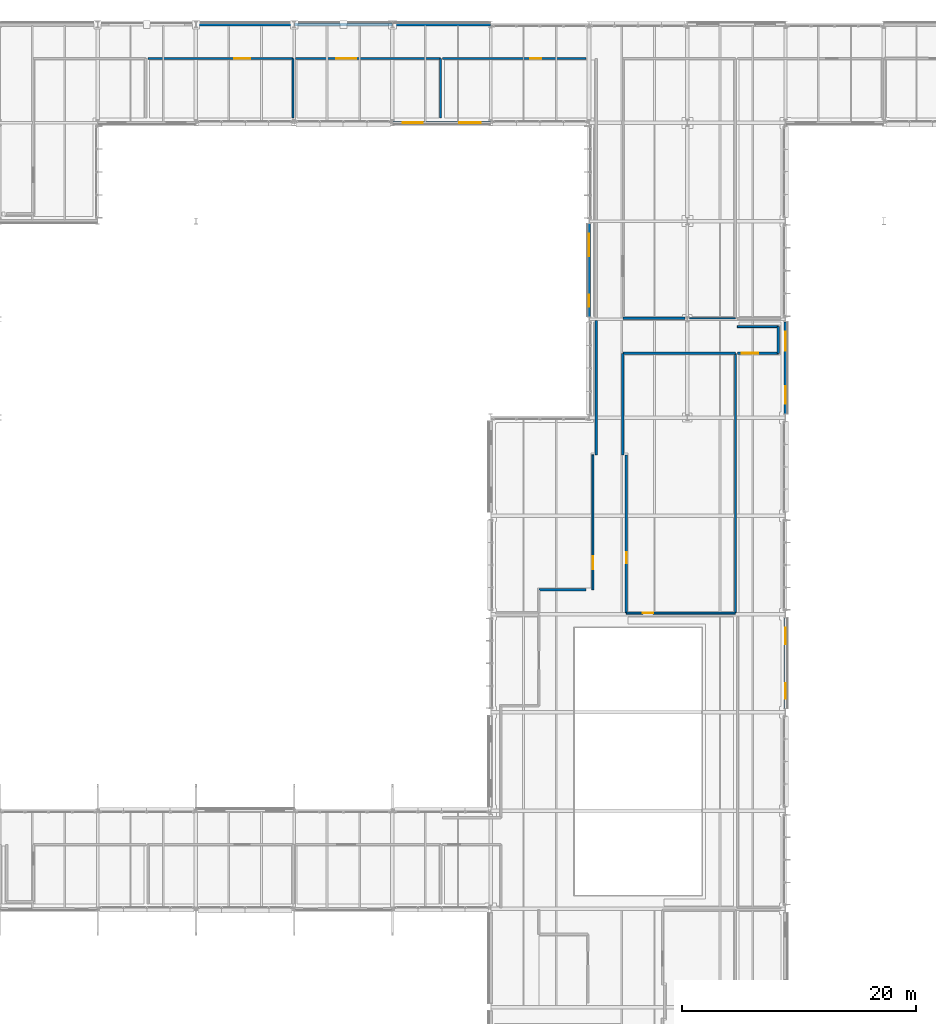
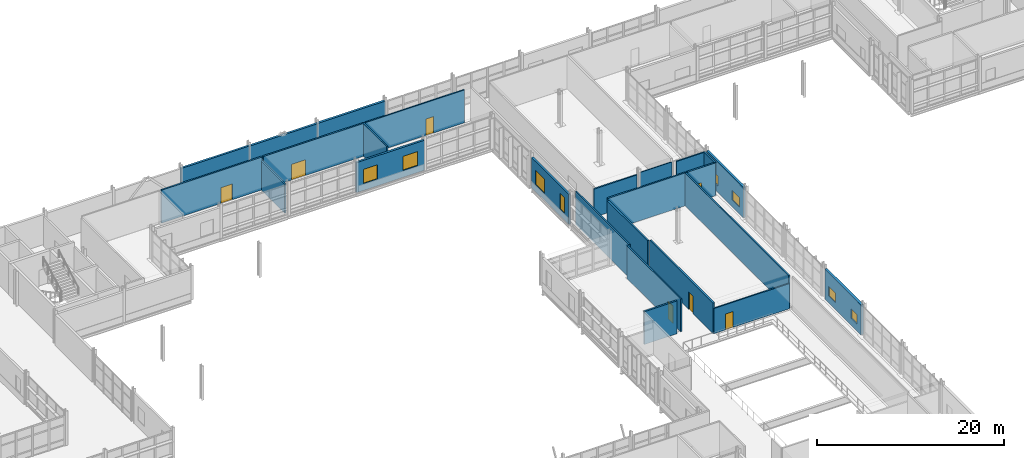
# One storey, part 99 of 129: 25 walls, 8 windows, 7 doors, 15 openings.
"""IFC4 building model written with IfcOpenShell, lengths in metres."""

from ifc_helpers import new_model, si_unit, direction, frame, frame_2d, origin, place, context, subcontext, project, spatial, rectangle, extrude, material, layer, layer_set, type_object, element, fill, save


model = new_model("IFC4")

# Units and contexts
model_context = context("Model", 3, precision=1e-05, world=origin(), true_north=direction((0.0, 1.0)))
body_context = subcontext(model_context, "Body", "Model", "MODEL_VIEW")
ifc_project = project(units=[si_unit("LENGTHUNIT", "METRE"), si_unit("AREAUNIT", "SQUARE_METRE"), si_unit("VOLUMEUNIT", "CUBIC_METRE"), si_unit("PLANEANGLEUNIT", "RADIAN"), si_unit("MASSUNIT", "GRAM", prefix="KILO")], contexts=[model_context])

# Site, building, storey
site_placement = place(None, origin())
site = spatial("IfcSite", under=ifc_project, at=site_placement, CompositionType="ELEMENT")
building_placement = place(site_placement, origin())
building = spatial("IfcBuilding", under=site, at=building_placement, Name="Mersafa Astral City Hall", CompositionType="ELEMENT")
storey_placement = place(building_placement, frame((0.0, 0.0, 5.39990234375)))
storey = spatial("IfcBuildingStorey", under=building, at=storey_placement, Name="L01", CompositionType="ELEMENT", Elevation=5.39990234375)

# Wall, openings, windows
ifc_material_1 = material(Name="Precast concrete C40/50 insulated terracotta spandrel", Category="masonry")
ifc_layer_1 = layer(ifc_material_1, 0.235107421875, Name="Precast concrete C40/50 insulated terracotta spandrel")
ifc_layer_set_1 = layer_set([ifc_layer_1], Name="Precast concrete C40/50 insulated terracotta spandrel — ENV-WAL-EXT-235")
wall_type_1 = type_object("IfcWallType", Name="ENV-WAL-EXT-235", PredefinedType="STANDARD", material=ifc_layer_set_1)
wall_1_placement = place(storey_placement, frame((100.800048828125, 108.97900390625, 0.0), z_axis=(0.0, 0.0, 1.0), x_axis=(0.0, -1.0, 0.0)))
wall_1 = element("IfcWall", 1, at=wall_1_placement, inside=storey, type_object=wall_type_1, Name="L01 Limestone-clad exterior wall 137", PredefinedType="STANDARD", context=body_context, shape_type="SweptSolid", body=[
    extrude(rectangle(XDim=7.9580078125, YDim=0.235107421875, at=frame_2d((3.97900390625, 0.0))), origin(), (0.0, 0.0, 1.0), 3.922119140625),
])
opening_1_placement = place(wall_1_placement, frame((0.85009765625, 0.0, 0.89990234375)))
opening_1 = element("IfcOpeningElement", 2, at=opening_1_placement, cuts=wall_1, Name="Opening W-50", PredefinedType="OPENING", context=body_context, shape_type="SweptSolid", body=[
    extrude(rectangle(XDim=1.919921875, YDim=1.85009765625, at=frame_2d((0.9599609375, 0.925048828125))), frame((0.0, 0.12744140625, 0.0), z_axis=(0.0, -1.0, 0.0), x_axis=(1.0, 0.0, 0.0)), (0.0, 0.0, 1.0), 0.255126953125),
])
opening_2_placement = place(wall_1_placement, frame((6.087890625, 0.0, 0.89990234375)))
opening_2 = element("IfcOpeningElement", 3, at=opening_2_placement, cuts=wall_1, Name="Opening W-51", PredefinedType="OPENING", context=body_context, shape_type="SweptSolid", body=[
    extrude(rectangle(XDim=1.02001953125, YDim=2.050048828125, at=frame_2d((0.510009765625, 1.02490234375))), frame((0.0, 0.12744140625, 0.0), z_axis=(0.0, -1.0, 0.0), x_axis=(1.0, 0.0, 0.0)), (0.0, 0.0, 1.0), 0.255126953125),
])
ifc_material_2 = material(Name="Solar control low-e double glazing in bronze frame", Category="glass")
window_type_1 = type_object("IfcWindowType", Name="ENV-WIN-W-50", PartitioningType="SINGLE_PANEL", PredefinedType="WINDOW", material=ifc_material_2)
window_1_placement = place(opening_1_placement, origin())
window_1 = element("IfcWindow", 4, at=window_1_placement, inside=storey, type_object=window_type_1, Name="L01 Solar punched window 137-L", OverallHeight=1.85009765625, OverallWidth=1.919921875, PartitioningType="SINGLE_PANEL", PredefinedType="WINDOW", context=body_context, shape_type="SweptSolid", body=[
    extrude(rectangle(XDim=1.919921875, YDim=1.85009765625, at=frame_2d((0.9599609375, 0.925048828125))), frame((0.0, 0.030029296875, 0.0), z_axis=(0.0, -1.0, 0.0), x_axis=(1.0, 0.0, 0.0)), (0.0, 0.0, 1.0), 0.06005859375),
])
fill(opening_1, window_1)
window_type_2 = type_object("IfcWindowType", Name="ENV-WIN-W-51", PartitioningType="SINGLE_PANEL", PredefinedType="WINDOW", material=ifc_material_2)
window_2_placement = place(opening_2_placement, origin())
window_2 = element("IfcWindow", 5, at=window_2_placement, inside=storey, type_object=window_type_2, Name="L01 Solar punched window 137-R", OverallHeight=2.050048828125, OverallWidth=1.02001953125, PartitioningType="SINGLE_PANEL", PredefinedType="WINDOW", context=body_context, shape_type="SweptSolid", body=[
    extrude(rectangle(XDim=1.02001953125, YDim=2.050048828125, at=frame_2d((0.510009765625, 1.02490234375))), frame((0.0, 0.030029296875, 0.0), z_axis=(0.0, -1.0, 0.0), x_axis=(1.0, 0.0, 0.0)), (0.0, 0.0, 1.0), 0.06005859375),
])
fill(opening_2, window_2)

# Wall
ifc_layer_2 = layer(ifc_material_1, 0.25, Name="Precast concrete C40/50 insulated terracotta spandrel")
ifc_layer_set_2 = layer_set([ifc_layer_2], Name="Precast concrete C40/50 insulated terracotta spandrel — ENV-WAL-EXT-250")
wall_type_2 = type_object("IfcWallType", Name="ENV-WAL-EXT-250", PredefinedType="STANDARD", material=ifc_layer_set_2)
wall_2_placement = place(storey_placement, frame((75.592041015625, 126.0, 0.0), z_axis=(0.0, 0.0, 1.0), x_axis=(-1.0, 0.0, 0.0)))
element("IfcWall", 6, at=wall_2_placement, inside=storey, type_object=wall_type_2, Name="L01 Limestone-clad exterior wall 118", PredefinedType="STANDARD", context=body_context, shape_type="SweptSolid", body=[
    extrude(rectangle(XDim=8.384033203125, YDim=0.25, at=frame_2d((4.19189453125, 0.0))), origin(), (0.0, 0.0, 1.0), 3.9521484375),
])

# Wall, openings, windows
wall_3_placement = place(storey_placement, frame((84.008056640625, 117.60009765625, 0.0), z_axis=(0.0, 0.0, 1.0), x_axis=(1.0, 0.0, 0.0)))
wall_3 = element("IfcWall", 7, at=wall_3_placement, inside=storey, type_object=wall_type_2, Name="L01 Limestone-clad exterior wall 136", PredefinedType="STANDARD", context=body_context, shape_type="SweptSolid", body=[
    extrude(rectangle(XDim=8.384033203125, YDim=0.25, at=frame_2d((4.19189453125, 0.0))), origin(), (0.0, 0.0, 1.0), 3.922119140625),
])
opening_3_placement = place(wall_3_placement, frame((0.85009765625, 0.0, 0.89990234375)))
opening_3 = element("IfcOpeningElement", 8, at=opening_3_placement, cuts=wall_3, Name="Opening W-48", PredefinedType="OPENING", context=body_context, shape_type="SweptSolid", body=[
    extrude(rectangle(XDim=1.719970703125, YDim=1.85009765625, at=frame_2d((0.85986328125, 0.925048828125))), frame((0.0, 0.135009765625, 0.0), z_axis=(0.0, -1.0, 0.0), x_axis=(1.0, 0.0, 0.0)), (0.0, 0.0, 1.0), 0.27001953125),
])
opening_4_placement = place(wall_3_placement, frame((5.714111328125, 0.0, 0.89990234375)))
opening_4 = element("IfcOpeningElement", 9, at=opening_4_placement, cuts=wall_3, Name="Opening W-49", PredefinedType="OPENING", context=body_context, shape_type="SweptSolid", body=[
    extrude(rectangle(XDim=1.820068359375, YDim=1.85009765625, at=frame_2d((0.91015625, 0.925048828125))), frame((0.0, 0.135009765625, 0.0), z_axis=(0.0, -1.0, 0.0), x_axis=(1.0, 0.0, 0.0)), (0.0, 0.0, 1.0), 0.27001953125),
])
window_type_3 = type_object("IfcWindowType", Name="ENV-WIN-W-48", PartitioningType="SINGLE_PANEL", PredefinedType="WINDOW", material=ifc_material_2)
window_3_placement = place(opening_3_placement, origin())
window_3 = element("IfcWindow", 10, at=window_3_placement, inside=storey, type_object=window_type_3, Name="L01 Solar punched window 136-L", OverallHeight=1.85009765625, OverallWidth=1.719970703125, PartitioningType="SINGLE_PANEL", PredefinedType="WINDOW", context=body_context, shape_type="SweptSolid", body=[
    extrude(rectangle(XDim=1.719970703125, YDim=1.85009765625, at=frame_2d((0.85986328125, 0.925048828125))), frame((0.0, 0.030029296875, 0.0), z_axis=(0.0, -1.0, 0.0), x_axis=(1.0, 0.0, 0.0)), (0.0, 0.0, 1.0), 0.06005859375),
])
fill(opening_3, window_3)
window_type_4 = type_object("IfcWindowType", Name="ENV-WIN-W-49", PartitioningType="SINGLE_PANEL", PredefinedType="WINDOW", material=ifc_material_2)
window_4_placement = place(opening_4_placement, origin())
window_4 = element("IfcWindow", 11, at=window_4_placement, inside=storey, type_object=window_type_4, Name="L01 Solar punched window 136-R", OverallHeight=1.85009765625, OverallWidth=1.820068359375, PartitioningType="SINGLE_PANEL", PredefinedType="WINDOW", context=body_context, shape_type="SweptSolid", body=[
    extrude(rectangle(XDim=1.820068359375, YDim=1.85009765625, at=frame_2d((0.91015625, 0.925048828125))), frame((0.0, 0.030029296875, 0.0), z_axis=(0.0, -1.0, 0.0), x_axis=(1.0, 0.0, 0.0)), (0.0, 0.0, 1.0), 0.06005859375),
])
fill(opening_4, window_4)

# Wall
ifc_material_3 = material(Name="Precast concrete C40/50 insulated limestone wall", Category="masonry")
ifc_layer_3 = layer(ifc_material_3, 0.264892578125, Name="Precast concrete C40/50 insulated limestone wall")
ifc_layer_set_3 = layer_set([ifc_layer_3], Name="Precast concrete C40/50 insulated limestone wall — ENV-WAL-EXT-265")
wall_type_3 = type_object("IfcWallType", Name="ENV-WAL-EXT-265", PredefinedType="STANDARD", material=ifc_layer_set_3)
wall_4_placement = place(storey_placement, frame((83.991943359375, 126.0, 0.0), z_axis=(0.0, 0.0, 1.0), x_axis=(-1.0, 0.0, 0.0)))
element("IfcWall", 12, at=wall_4_placement, inside=storey, type_object=wall_type_3, Name="L01 Limestone-clad exterior wall 117", PredefinedType="STANDARD", context=body_context, shape_type="SweptSolid", body=[
    extrude(rectangle(XDim=8.384033203125, YDim=0.264892578125, at=frame_2d((4.19189453125, 0.0))), origin(), (0.0, 0.0, 1.0), 3.922119140625),
])

# Wall, openings, windows
ifc_layer_4 = layer(ifc_material_3, 0.280029296875, Name="Precast concrete C40/50 insulated limestone wall")
ifc_layer_set_4 = layer_set([ifc_layer_4], Name="Precast concrete C40/50 insulated limestone wall — ENV-WAL-EXT-280")
wall_type_4 = type_object("IfcWallType", Name="ENV-WAL-EXT-280", PredefinedType="STANDARD", material=ifc_layer_set_4)
wall_5_placement = place(storey_placement, frame((117.60009765625, 92.720947265625, 0.0), z_axis=(0.0, 0.0, 1.0), x_axis=(0.0, 1.0, 0.0)))
wall_5 = element("IfcWall", 13, at=wall_5_placement, inside=storey, type_object=wall_type_4, Name="L01 Limestone-clad exterior wall 92", PredefinedType="STANDARD", context=body_context, shape_type="SweptSolid", body=[
    extrude(rectangle(XDim=7.858154296875, YDim=0.280029296875, at=frame_2d((3.92919921875, 0.0))), origin(), (0.0, 0.0, 1.0), 4.01220703125),
])
opening_5_placement = place(wall_5_placement, frame((0.85009765625, 0.0, 0.89990234375)))
opening_5 = element("IfcOpeningElement", 14, at=opening_5_placement, cuts=wall_5, Name="Opening W-16", PredefinedType="OPENING", context=body_context, shape_type="SweptSolid", body=[
    extrude(rectangle(XDim=1.52001953125, YDim=1.25, at=frame_2d((0.760009765625, 0.625))), frame((0.0, 0.14990234375, 0.0), z_axis=(0.0, -1.0, 0.0), x_axis=(1.0, 0.0, 0.0)), (0.0, 0.0, 1.0), 0.300048828125),
])
opening_6_placement = place(wall_5_placement, frame((5.387939453125, 0.0, 0.89990234375)))
opening_6 = element("IfcOpeningElement", 15, at=opening_6_placement, cuts=wall_5, Name="Opening W-17", PredefinedType="OPENING", context=body_context, shape_type="SweptSolid", body=[
    extrude(rectangle(XDim=1.6201171875, YDim=1.25, at=frame_2d((0.81005859375, 0.625))), frame((0.0, 0.14990234375, 0.0), z_axis=(0.0, -1.0, 0.0), x_axis=(1.0, 0.0, 0.0)), (0.0, 0.0, 1.0), 0.300048828125),
])
window_type_5 = type_object("IfcWindowType", Name="ENV-WIN-W-16", PartitioningType="SINGLE_PANEL", PredefinedType="WINDOW", material=ifc_material_2)
window_5_placement = place(opening_5_placement, origin())
window_5 = element("IfcWindow", 16, at=window_5_placement, inside=storey, type_object=window_type_5, Name="L01 Solar punched window 92-L", OverallHeight=1.25, OverallWidth=1.52001953125, PartitioningType="SINGLE_PANEL", PredefinedType="WINDOW", context=body_context, shape_type="SweptSolid", body=[
    extrude(rectangle(XDim=1.52001953125, YDim=1.25, at=frame_2d((0.760009765625, 0.625))), frame((0.0, 0.030029296875, 0.0), z_axis=(0.0, -1.0, 0.0), x_axis=(1.0, 0.0, 0.0)), (0.0, 0.0, 1.0), 0.06005859375),
])
fill(opening_5, window_5)
window_type_6 = type_object("IfcWindowType", Name="ENV-WIN-W-17", PartitioningType="SINGLE_PANEL", PredefinedType="WINDOW", material=ifc_material_2)
window_6_placement = place(opening_6_placement, origin())
window_6 = element("IfcWindow", 17, at=window_6_placement, inside=storey, type_object=window_type_6, Name="L01 Solar punched window 92-R", OverallHeight=1.25, OverallWidth=1.6201171875, PartitioningType="SINGLE_PANEL", PredefinedType="WINDOW", context=body_context, shape_type="SweptSolid", body=[
    extrude(rectangle(XDim=1.6201171875, YDim=1.25, at=frame_2d((0.81005859375, 0.625))), frame((0.0, 0.030029296875, 0.0), z_axis=(0.0, -1.0, 0.0), x_axis=(1.0, 0.0, 0.0)), (0.0, 0.0, 1.0), 0.06005859375),
])
fill(opening_6, window_6)

# Wall
wall_6_placement = place(storey_placement, frame((92.39208984375, 126.0, 0.0), z_axis=(0.0, 0.0, 1.0), x_axis=(-1.0, 0.0, 0.0)))
element("IfcWall", 18, at=wall_6_placement, inside=storey, type_object=wall_type_4, Name="L01 Limestone-clad exterior wall 116", PredefinedType="STANDARD", context=body_context, shape_type="SweptSolid", body=[
    extrude(rectangle(XDim=8.384033203125, YDim=0.280029296875, at=frame_2d((4.19189453125, 0.0))), origin(), (0.0, 0.0, 1.0), 3.9521484375),
])

# Wall, openings, windows
ifc_layer_5 = layer(ifc_material_3, 0.294921875, Name="Precast concrete C40/50 insulated limestone wall")
ifc_layer_set_5 = layer_set([ifc_layer_5], Name="Precast concrete C40/50 insulated limestone wall — ENV-WAL-EXT-295")
wall_type_5 = type_object("IfcWallType", Name="ENV-WAL-EXT-295", PredefinedType="STANDARD", material=ifc_layer_set_5)
wall_7_placement = place(storey_placement, frame((117.60009765625, 67.52099609375, 0.0), z_axis=(0.0, 0.0, 1.0), x_axis=(0.0, 1.0, 0.0)))
wall_7 = element("IfcWall", 19, at=wall_7_placement, inside=storey, type_object=wall_type_5, Name="L01 Limestone-clad exterior wall 91", PredefinedType="STANDARD", context=body_context, shape_type="SweptSolid", body=[
    extrude(rectangle(XDim=7.758056640625, YDim=0.294921875, at=frame_2d((3.87890625, 0.0))), origin(), (0.0, 0.0, 1.0), 3.922119140625),
])
opening_7_placement = place(wall_7_placement, frame((0.85009765625, 0.0, 0.89990234375)))
opening_7 = element("IfcOpeningElement", 20, at=opening_7_placement, cuts=wall_7, Name="Opening W-14", PredefinedType="OPENING", context=body_context, shape_type="SweptSolid", body=[
    extrude(rectangle(XDim=1.320068359375, YDim=1.25, at=frame_2d((0.66015625, 0.625))), frame((0.0, 0.157470703125, 0.0), z_axis=(0.0, -1.0, 0.0), x_axis=(1.0, 0.0, 0.0)), (0.0, 0.0, 1.0), 0.31494140625),
])
opening_8_placement = place(wall_7_placement, frame((5.488037109375, 0.0, 0.89990234375)))
opening_8 = element("IfcOpeningElement", 21, at=opening_8_placement, cuts=wall_7, Name="Opening W-15", PredefinedType="OPENING", context=body_context, shape_type="SweptSolid", body=[
    extrude(rectangle(XDim=1.419921875, YDim=1.25, at=frame_2d((0.7099609375, 0.625))), frame((0.0, 0.157470703125, 0.0), z_axis=(0.0, -1.0, 0.0), x_axis=(1.0, 0.0, 0.0)), (0.0, 0.0, 1.0), 0.31494140625),
])
window_type_7 = type_object("IfcWindowType", Name="ENV-WIN-W-14", PartitioningType="SINGLE_PANEL", PredefinedType="WINDOW", material=ifc_material_2)
window_7_placement = place(opening_7_placement, origin())
window_7 = element("IfcWindow", 22, at=window_7_placement, inside=storey, type_object=window_type_7, Name="L01 Solar punched window 91-L", OverallHeight=1.25, OverallWidth=1.320068359375, PartitioningType="SINGLE_PANEL", PredefinedType="WINDOW", context=body_context, shape_type="SweptSolid", body=[
    extrude(rectangle(XDim=1.320068359375, YDim=1.25, at=frame_2d((0.66015625, 0.625))), frame((0.0, 0.030029296875, 0.0), z_axis=(0.0, -1.0, 0.0), x_axis=(1.0, 0.0, 0.0)), (0.0, 0.0, 1.0), 0.06005859375),
])
fill(opening_7, window_7)
window_type_8 = type_object("IfcWindowType", Name="ENV-WIN-W-15", PartitioningType="SINGLE_PANEL", PredefinedType="WINDOW", material=ifc_material_2)
window_8_placement = place(opening_8_placement, origin())
window_8 = element("IfcWindow", 23, at=window_8_placement, inside=storey, type_object=window_type_8, Name="L01 Solar punched window 91-R", OverallHeight=1.25, OverallWidth=1.419921875, PartitioningType="SINGLE_PANEL", PredefinedType="WINDOW", context=body_context, shape_type="SweptSolid", body=[
    extrude(rectangle(XDim=1.419921875, YDim=1.25, at=frame_2d((0.7099609375, 0.625))), frame((0.0, 0.030029296875, 0.0), z_axis=(0.0, -1.0, 0.0), x_axis=(1.0, 0.0, 0.0)), (0.0, 0.0, 1.0), 0.06005859375),
])
fill(opening_8, window_8)

# Wall
ifc_material_4 = material(Name="Acoustic steel-stud gypsum partition", Category="steel")
ifc_layer_6 = layer(ifc_material_4, 0.1201171875, Name="Acoustic steel-stud gypsum partition")
ifc_layer_set_6 = layer_set([ifc_layer_6], Name="Acoustic steel-stud gypsum partition — INT-WAL-PART-EI30-120")
wall_type_6 = type_object("IfcWallType", Name="INT-WAL-PART-EI30-120", PredefinedType="STANDARD", material=ifc_layer_set_6)
wall_8_placement = place(storey_placement, frame((113.31005859375, 100.889892578125, -0.00390625), z_axis=(0.0, 0.0, 1.0), x_axis=(-1.0, 0.0, 0.0)))
element("IfcWall", 24, at=wall_8_placement, inside=storey, type_object=wall_type_6, Name="L01 Interior partition wall 281", PredefinedType="STANDARD", context=body_context, shape_type="SweptSolid", body=[
    extrude(rectangle(XDim=3.908447265625, YDim=0.1201171875, at=frame_2d((1.9541015625, 0.0))), origin(), (0.0, 0.0, 1.0), 3.845947265625),
])

# Wall, opening, door
ifc_material_5 = material(Name="Fire-rated gypsum stud partition", Category="gypsum")
ifc_layer_7 = layer(ifc_material_5, 0.1650390625, Name="Fire-rated gypsum stud partition")
ifc_layer_set_7 = layer_set([ifc_layer_7], Name="Fire-rated gypsum stud partition — INT-WAL-PART-EI60-165")
wall_type_7 = type_object("IfcWallType", Name="INT-WAL-PART-EI60-165", PredefinedType="STANDARD", material=ifc_layer_set_7)
wall_9_placement = place(storey_placement, frame((113.31005859375, 75.68994140625, -0.00390625), z_axis=(0.0, 0.0, 1.0), x_axis=(-1.0, 0.0, 0.0)))
wall_9 = element("IfcWall", 25, at=wall_9_placement, inside=storey, type_object=wall_type_7, Name="L01 Interior partition wall 287", PredefinedType="STANDARD", context=body_context, shape_type="SweptSolid", body=[
    extrude(rectangle(XDim=9.320068359375, YDim=0.1650390625, at=frame_2d((4.66015625, 0.0))), origin(), (0.0, 0.0, 1.0), 3.285888671875),
])
opening_9_placement = place(wall_9_placement, frame((6.99609375, 0.0, 0.0)))
opening_9 = element("IfcOpeningElement", 26, at=opening_9_placement, cuts=wall_9, Name="Opening D-01", PredefinedType="OPENING", context=body_context, shape_type="SweptSolid", body=[
    extrude(rectangle(XDim=0.919921875, YDim=2.06005859375, at=frame_2d((0.4599609375, 1.030029296875))), frame((0.0, 0.092529296875, 0.0), z_axis=(0.0, -1.0, 0.0), x_axis=(1.0, 0.0, 0.0)), (0.0, 0.0, 1.0), 0.18505859375),
])
ifc_material_6 = material(Name="Cedar veneered acoustic fire-rated timber door", Category="wood")
door_type_1 = type_object("IfcDoorType", Name="INT-DR-RM-D-01", OperationType="NOTDEFINED", PredefinedType="DOOR", material=ifc_material_6)
door_1_placement = place(opening_9_placement, origin())
door_1 = element("IfcDoor", 27, at=door_1_placement, inside=storey, type_object=door_type_1, Name="L01 Standing Committee Room L01-12 Entrance Door", OperationType="SINGLE_SWING_LEFT", OverallHeight=2.06005859375, OverallWidth=0.919921875, PredefinedType="DOOR", context=body_context, shape_type="SweptSolid", body=[
    extrude(rectangle(XDim=0.919921875, YDim=2.06005859375, at=frame_2d((0.4599609375, 1.030029296875))), frame((0.0, 0.02490234375, 0.0), z_axis=(0.0, -1.0, 0.0), x_axis=(1.0, 0.0, 0.0)), (0.0, 0.0, 1.0), 0.050048828125),
])
fill(opening_9, door_1)

wall_10_placement = place(storey_placement, frame((101.1298828125, 89.219970703125, -0.00390625), z_axis=(0.0, 0.0, 1.0), x_axis=(0.0, -1.0, 0.0)))
wall_10 = element("IfcWall", 28, at=wall_10_placement, inside=storey, type_object=wall_type_7, Name="L01 Interior partition wall 303", PredefinedType="STANDARD", context=body_context, shape_type="SweptSolid", body=[
    extrude(rectangle(XDim=11.5400390625, YDim=0.1650390625, at=frame_2d((5.77001953125, 0.0))), origin(), (0.0, 0.0, 1.0), 4.2939453125),
])
opening_10_placement = place(wall_10_placement, frame((8.681884765625, 0.0, 0.0)))
opening_10 = element("IfcOpeningElement", 29, at=opening_10_placement, cuts=wall_10, Name="Opening D-31", PredefinedType="OPENING", context=body_context, shape_type="SweptSolid", body=[
    extrude(rectangle(XDim=1.10009765625, YDim=2.300048828125, at=frame_2d((0.550048828125, 1.14990234375))), frame((0.0, 0.092529296875, 0.0), z_axis=(0.0, -1.0, 0.0), x_axis=(1.0, 0.0, 0.0)), (0.0, 0.0, 1.0), 0.18505859375),
])
door_type_2 = type_object("IfcDoorType", Name="INT-DR-RM-D-31", OperationType="NOTDEFINED", PredefinedType="DOOR", material=ifc_material_6)
door_2_placement = place(opening_10_placement, origin())
door_2 = element("IfcDoor", 30, at=door_2_placement, inside=storey, type_object=door_type_2, Name="L01 Municipal Administration Office L01-06 Entrance Door", OperationType="SINGLE_SWING_LEFT", OverallHeight=2.300048828125, OverallWidth=1.10009765625, PredefinedType="DOOR", context=body_context, shape_type="SweptSolid", body=[
    extrude(rectangle(XDim=1.10009765625, YDim=2.300048828125, at=frame_2d((0.550048828125, 1.14990234375))), frame((0.0, 0.02490234375, 0.0), z_axis=(0.0, -1.0, 0.0), x_axis=(1.0, 0.0, 0.0)), (0.0, 0.0, 1.0), 0.050048828125),
])
fill(opening_10, door_2)

# Wall
wall_11_placement = place(storey_placement, frame((116.97998046875, 100.179931640625, -0.00390625), z_axis=(0.0, 0.0, 1.0), x_axis=(-1.0, 0.0, 0.0)))
element("IfcWall", 31, at=wall_11_placement, inside=storey, type_object=wall_type_7, Name="L01 Interior partition wall 319", PredefinedType="STANDARD", context=body_context, shape_type="SweptSolid", body=[
    extrude(rectangle(XDim=3.489990234375, YDim=0.1650390625, at=frame_2d((1.7451171875, 0.0))), origin(), (0.0, 0.0, 1.0), 4.2939453125),
])

# Wall, opening, door
wall_12_placement = place(storey_placement, frame((88.2900390625, 123.10009765625, -0.00390625), z_axis=(0.0, 0.0, 1.0), x_axis=(1.0, 0.0, 0.0)))
wall_12 = element("IfcWall", 32, at=wall_12_placement, inside=storey, type_object=wall_type_7, Name="L01 Interior partition wall 351", PredefinedType="STANDARD", context=body_context, shape_type="SweptSolid", body=[
    extrude(rectangle(XDim=12.25, YDim=0.1650390625, at=frame_2d((6.125, 0.0))), origin(), (0.0, 0.0, 1.0), 4.2939453125),
])
opening_11_placement = place(wall_12_placement, frame((7.50244140625, 0.0, 0.0)))
opening_11 = element("IfcOpeningElement", 33, at=opening_11_placement, cuts=wall_12, Name="Opening D-10", PredefinedType="OPENING", context=body_context, shape_type="SweptSolid", body=[
    extrude(rectangle(XDim=0.919921875, YDim=2.139892578125, at=frame_2d((0.4599609375, 1.06982421875))), frame((0.0, 0.092529296875, 0.0), z_axis=(0.0, -1.0, 0.0), x_axis=(1.0, 0.0, 0.0)), (0.0, 0.0, 1.0), 0.18505859375),
])
door_type_3 = type_object("IfcDoorType", Name="INT-DR-RM-D-10", OperationType="NOTDEFINED", PredefinedType="DOOR", material=ifc_material_6)
door_3_placement = place(opening_11_placement, origin())
door_3 = element("IfcDoor", 34, at=door_3_placement, inside=storey, type_object=door_type_3, Name="L01 Standing Committee Room L01-21 Entrance Door", OperationType="SINGLE_SWING_RIGHT", OverallHeight=2.139892578125, OverallWidth=0.919921875, PredefinedType="DOOR", context=body_context, shape_type="SweptSolid", body=[
    extrude(rectangle(XDim=0.919921875, YDim=2.139892578125, at=frame_2d((0.4599609375, 1.06982421875))), frame((0.0, 0.02490234375, 0.0), z_axis=(0.0, -1.0, 0.0), x_axis=(1.0, 0.0, 0.0)), (0.0, 0.0, 1.0), 0.050048828125),
])
fill(opening_11, door_3)

# Walls
ifc_material_7 = material(Name="Acoustic twin-stud gypsum partition", Category="gypsum")
ifc_layer_8 = layer(ifc_material_7, 0.179931640625, Name="Acoustic twin-stud gypsum partition")
ifc_layer_set_8 = layer_set([ifc_layer_8], Name="Acoustic twin-stud gypsum partition — INT-WAL-PART-EI60-180")
wall_type_8 = type_object("IfcWallType", Name="INT-WAL-PART-EI60-180", PredefinedType="STANDARD", material=ifc_layer_set_8)
wall_13_placement = place(storey_placement, frame((108.998291015625, 100.889892578125, -0.00390625), z_axis=(0.0, 0.0, 1.0), x_axis=(-1.0, 0.0, 0.0)))
element("IfcWall", 35, at=wall_13_placement, inside=storey, type_object=wall_type_8, Name="L01 Interior partition wall 282", PredefinedType="STANDARD", context=body_context, shape_type="SweptSolid", body=[
    extrude(rectangle(XDim=5.29833984375, YDim=0.179931640625, at=frame_2d((2.649169921875, 0.0))), origin(), (0.0, 0.0, 1.0), 3.68603515625),
])
wall_14_placement = place(storey_placement, frame((113.31005859375, 97.89990234375, -0.00390625), z_axis=(0.0, 0.0, 1.0), x_axis=(0.0, -1.0, 0.0)))
element("IfcWall", 36, at=wall_14_placement, inside=storey, type_object=wall_type_8, Name="L01 Interior partition wall 286", PredefinedType="STANDARD", context=body_context, shape_type="SweptSolid", body=[
    extrude(rectangle(XDim=22.2099609375, YDim=0.179931640625, at=frame_2d((11.10498046875, 0.0))), origin(), (0.0, 0.0, 1.0), 4.2939453125),
])
wall_15_placement = place(storey_placement, frame((101.419921875, 100.7099609375, -0.00390625), z_axis=(0.0, 0.0, 1.0), x_axis=(0.0, -1.0, 0.0)))
element("IfcWall", 37, at=wall_15_placement, inside=storey, type_object=wall_type_8, Name="L01 Interior partition wall 302", PredefinedType="STANDARD", context=body_context, shape_type="SweptSolid", body=[
    extrude(rectangle(XDim=11.489990234375, YDim=0.179931640625, at=frame_2d((5.7451171875, 0.0))), origin(), (0.0, 0.0, 1.0), 4.2939453125),
])
wall_16_placement = place(storey_placement, frame((116.97998046875, 97.89990234375, -0.00390625), z_axis=(0.0, 0.0, 1.0), x_axis=(0.0, 1.0, 0.0)))
element("IfcWall", 38, at=wall_16_placement, inside=storey, type_object=wall_type_8, Name="L01 Interior partition wall 318", PredefinedType="STANDARD", context=body_context, shape_type="SweptSolid", body=[
    extrude(rectangle(XDim=2.280029296875, YDim=0.179931640625, at=frame_2d((1.14013671875, 0.0))), origin(), (0.0, 0.0, 1.0), 4.2939453125),
])
wall_17_placement = place(storey_placement, frame((75.510009765625, 123.10009765625, -0.00390625), z_axis=(0.0, 0.0, 1.0), x_axis=(0.0, -1.0, 0.0)))
element("IfcWall", 39, at=wall_17_placement, inside=storey, type_object=wall_type_8, Name="L01 Interior partition wall 346", PredefinedType="STANDARD", context=body_context, shape_type="SweptSolid", body=[
    extrude(rectangle(XDim=5.080078125, YDim=0.179931640625, at=frame_2d((2.5400390625, 0.0))), origin(), (0.0, 0.0, 1.0), 3.7958984375),
])
wall_18_placement = place(storey_placement, frame((88.110107421875, 123.10009765625, -0.00390625), z_axis=(0.0, 0.0, 1.0), x_axis=(0.0, -1.0, 0.0)))
element("IfcWall", 40, at=wall_18_placement, inside=storey, type_object=wall_type_8, Name="L01 Interior partition wall 350", PredefinedType="STANDARD", context=body_context, shape_type="SweptSolid", body=[
    extrude(rectangle(XDim=5.080078125, YDim=0.179931640625, at=frame_2d((2.5400390625, 0.0))), origin(), (0.0, 0.0, 1.0), 4.2939453125),
])
ifc_layer_9 = layer(ifc_material_7, 0.195068359375, Name="Acoustic twin-stud gypsum partition")
ifc_layer_set_9 = layer_set([ifc_layer_9], Name="Acoustic twin-stud gypsum partition — INT-WAL-PART-EI60-195")
wall_type_9 = type_object("IfcWallType", Name="INT-WAL-PART-EI60-195", PredefinedType="STANDARD", material=ifc_layer_set_9)
wall_19_placement = place(storey_placement, frame((103.699951171875, 97.89990234375, -0.00390625), z_axis=(0.0, 0.0, 1.0), x_axis=(1.0, 0.0, 0.0)))
element("IfcWall", 41, at=wall_19_placement, inside=storey, type_object=wall_type_9, Name="L01 Interior partition wall 285", PredefinedType="STANDARD", context=body_context, shape_type="SweptSolid", body=[
    extrude(rectangle(XDim=9.610107421875, YDim=0.195068359375, at=frame_2d((4.80517578125, 0.0))), origin(), (0.0, 0.0, 1.0), 4.2939453125),
])

# Wall, opening, door
wall_20_placement = place(storey_placement, frame((113.489990234375, 97.89990234375, -0.00390625), z_axis=(0.0, 0.0, 1.0), x_axis=(1.0, 0.0, 0.0)))
wall_20 = element("IfcWall", 42, at=wall_20_placement, inside=storey, type_object=wall_type_9, Name="L01 Interior partition wall 317", PredefinedType="STANDARD", context=body_context, shape_type="SweptSolid", body=[
    extrude(rectangle(XDim=3.489990234375, YDim=0.195068359375, at=frame_2d((1.7451171875, 0.0))), origin(), (0.0, 0.0, 1.0), 4.2939453125),
])
opening_12_placement = place(wall_20_placement, frame((0.360107421875, 0.0, 0.0)))
opening_12 = element("IfcOpeningElement", 43, at=opening_12_placement, cuts=wall_20, Name="Opening D-34", PredefinedType="OPENING", context=body_context, shape_type="SweptSolid", body=[
    extrude(rectangle(XDim=1.39990234375, YDim=2.300048828125, at=frame_2d((0.699951171875, 1.14990234375))), frame((0.0, 0.107421875, 0.0), z_axis=(0.0, -1.0, 0.0), x_axis=(1.0, 0.0, 0.0)), (0.0, 0.0, 1.0), 0.215087890625),
])
door_type_4 = type_object("IfcDoorType", Name="INT-DR-RM-D-34", OperationType="NOTDEFINED", PredefinedType="DOOR", material=ifc_material_6)
door_4_placement = place(opening_12_placement, origin())
door_4 = element("IfcDoor", 44, at=door_4_placement, inside=storey, type_object=door_type_4, Name="L01 Public Petitions Hearing Room L01-09 Entrance Door", OperationType="SINGLE_SWING_RIGHT", OverallHeight=2.300048828125, OverallWidth=1.39990234375, PredefinedType="DOOR", context=body_context, shape_type="SweptSolid", body=[
    extrude(rectangle(XDim=1.39990234375, YDim=2.300048828125, at=frame_2d((0.699951171875, 1.14990234375))), frame((0.0, 0.02490234375, 0.0), z_axis=(0.0, -1.0, 0.0), x_axis=(1.0, 0.0, 0.0)), (0.0, 0.0, 1.0), 0.050048828125),
])
fill(opening_12, door_4)

wall_21_placement = place(storey_placement, frame((63.090087890625, 123.10009765625, -0.00390625), z_axis=(0.0, 0.0, 1.0), x_axis=(1.0, 0.0, 0.0)))
wall_21 = element("IfcWall", 45, at=wall_21_placement, inside=storey, type_object=wall_type_9, Name="L01 Interior partition wall 345", PredefinedType="STANDARD", context=body_context, shape_type="SweptSolid", body=[
    extrude(rectangle(XDim=12.419921875, YDim=0.195068359375, at=frame_2d((6.2099609375, 0.0))), origin(), (0.0, 0.0, 1.0), 4.2939453125),
])
opening_13_placement = place(wall_21_placement, frame((7.373046875, 0.0, 0.0)))
opening_13 = element("IfcOpeningElement", 46, at=opening_13_placement, cuts=wall_21, Name="Opening D-07", PredefinedType="OPENING", context=body_context, shape_type="SweptSolid", body=[
    extrude(rectangle(XDim=1.39990234375, YDim=2.06005859375, at=frame_2d((0.699951171875, 1.030029296875))), frame((0.0, 0.107421875, 0.0), z_axis=(0.0, -1.0, 0.0), x_axis=(1.0, 0.0, 0.0)), (0.0, 0.0, 1.0), 0.215087890625),
])
door_type_5 = type_object("IfcDoorType", Name="INT-DR-RM-D-07", OperationType="NOTDEFINED", PredefinedType="DOOR", material=ifc_material_6)
door_5_placement = place(opening_13_placement, origin())
door_5 = element("IfcDoor", 47, at=door_5_placement, inside=storey, type_object=door_type_5, Name="L01 Public Petitions Hearing Room L01-18 Entrance Door", OperationType="SINGLE_SWING_LEFT", OverallHeight=2.06005859375, OverallWidth=1.39990234375, PredefinedType="DOOR", context=body_context, shape_type="SweptSolid", body=[
    extrude(rectangle(XDim=1.39990234375, YDim=2.06005859375, at=frame_2d((0.699951171875, 1.030029296875))), frame((0.0, 0.02490234375, 0.0), z_axis=(0.0, -1.0, 0.0), x_axis=(1.0, 0.0, 0.0)), (0.0, 0.0, 1.0), 0.050048828125),
])
fill(opening_13, door_5)

wall_22_placement = place(storey_placement, frame((75.68994140625, 123.10009765625, -0.00390625), z_axis=(0.0, 0.0, 1.0), x_axis=(1.0, 0.0, 0.0)))
wall_22 = element("IfcWall", 48, at=wall_22_placement, inside=storey, type_object=wall_type_9, Name="L01 Interior partition wall 349", PredefinedType="STANDARD", context=body_context, shape_type="SweptSolid", body=[
    extrude(rectangle(XDim=12.420166015625, YDim=0.195068359375, at=frame_2d((6.2099609375, 0.0))), origin(), (0.0, 0.0, 1.0), 4.2939453125),
])
opening_14_placement = place(wall_22_placement, frame((3.487060546875, 0.0, 0.0)))
opening_14 = element("IfcOpeningElement", 49, at=opening_14_placement, cuts=wall_22, Name="Opening D-09", PredefinedType="OPENING", context=body_context, shape_type="SweptSolid", body=[
    extrude(rectangle(XDim=1.719970703125, YDim=2.06005859375, at=frame_2d((0.85986328125, 1.030029296875))), frame((0.0, 0.107421875, 0.0), z_axis=(0.0, -1.0, 0.0), x_axis=(1.0, 0.0, 0.0)), (0.0, 0.0, 1.0), 0.215087890625),
])
door_type_6 = type_object("IfcDoorType", Name="INT-DR-RM-D-09", OperationType="NOTDEFINED", PredefinedType="DOOR", material=ifc_material_6)
door_6_placement = place(opening_14_placement, origin())
door_6 = element("IfcDoor", 50, at=door_6_placement, inside=storey, type_object=door_type_6, Name="L01 Citizens Service Centre L01-20 Entrance Door", OperationType="SINGLE_SWING_LEFT", OverallHeight=2.06005859375, OverallWidth=1.719970703125, PredefinedType="DOOR", context=body_context, shape_type="SweptSolid", body=[
    extrude(rectangle(XDim=1.719970703125, YDim=2.06005859375, at=frame_2d((0.85986328125, 1.030029296875))), frame((0.0, 0.02490234375, 0.0), z_axis=(0.0, -1.0, 0.0), x_axis=(1.0, 0.0, 0.0)), (0.0, 0.0, 1.0), 0.050048828125),
])
fill(opening_14, door_6)

# Wall
ifc_material_8 = material(Name="Autoclaved aerated concrete blockwork plastered", Category="masonry")
ifc_layer_10 = layer(ifc_material_8, 0.2099609375, Name="Autoclaved aerated concrete blockwork plastered")
ifc_layer_set_10 = layer_set([ifc_layer_10], Name="Autoclaved aerated concrete blockwork plastered — INT-WAL-PART-EI60-210")
wall_type_10 = type_object("IfcWallType", Name="INT-WAL-PART-EI60-210", PredefinedType="STANDARD", material=ifc_layer_set_10)
wall_23_placement = place(storey_placement, frame((103.699951171875, 89.219970703125, -0.00390625), z_axis=(0.0, 0.0, 1.0), x_axis=(0.0, 1.0, 0.0)))
element("IfcWall", 51, at=wall_23_placement, inside=storey, type_object=wall_type_10, Name="L01 Interior partition wall 284", PredefinedType="STANDARD", context=body_context, shape_type="SweptSolid", body=[
    extrude(rectangle(XDim=8.679931640625, YDim=0.2099609375, at=frame_2d((4.33984375, 0.0))), origin(), (0.0, 0.0, 1.0), 4.01611328125),
])

# Wall, opening, door
wall_24_placement = place(storey_placement, frame((103.989990234375, 75.68994140625, -0.00390625), z_axis=(0.0, 0.0, 1.0), x_axis=(0.0, 1.0, 0.0)))
wall_24 = element("IfcWall", 52, at=wall_24_placement, inside=storey, type_object=wall_type_10, Name="L01 Interior partition wall 288", PredefinedType="STANDARD", context=body_context, shape_type="SweptSolid", body=[
    extrude(rectangle(XDim=13.530029296875, YDim=0.2099609375, at=frame_2d((6.76513671875, 0.0))), origin(), (0.0, 0.0, 1.0), 3.986083984375),
])
opening_15_placement = place(wall_24_placement, frame((4.275390625, 0.0, 0.0)))
opening_15 = element("IfcOpeningElement", 53, at=opening_15_placement, cuts=wall_24, Name="Opening D-28", PredefinedType="OPENING", context=body_context, shape_type="SweptSolid", body=[
    extrude(rectangle(XDim=0.919921875, YDim=2.300048828125, at=frame_2d((0.4599609375, 1.14990234375))), frame((0.0, 0.114990234375, 0.0), z_axis=(0.0, -1.0, 0.0), x_axis=(1.0, 0.0, 0.0)), (0.0, 0.0, 1.0), 0.22998046875),
])
door_type_7 = type_object("IfcDoorType", Name="INT-DR-RM-D-28", OperationType="NOTDEFINED", PredefinedType="DOOR", material=ifc_material_6)
door_7_placement = place(opening_15_placement, origin())
door_7 = element("IfcDoor", 54, at=door_7_placement, inside=storey, type_object=door_type_7, Name="L01 Standing Committee Room L01-03 Entrance Door", OperationType="SINGLE_SWING_RIGHT", OverallHeight=2.300048828125, OverallWidth=0.919921875, PredefinedType="DOOR", context=body_context, shape_type="SweptSolid", body=[
    extrude(rectangle(XDim=0.919921875, YDim=2.300048828125, at=frame_2d((0.4599609375, 1.14990234375))), frame((0.0, 0.02490234375, 0.0), z_axis=(0.0, -1.0, 0.0), x_axis=(1.0, 0.0, 0.0)), (0.0, 0.0, 1.0), 0.050048828125),
])
fill(opening_15, door_7)

# Wall
wall_25_placement = place(storey_placement, frame((100.5400390625, 77.679931640625, -0.00390625), z_axis=(0.0, 0.0, 1.0), x_axis=(-1.0, 0.0, 0.0)))
element("IfcWall", 55, at=wall_25_placement, inside=storey, type_object=wall_type_10, Name="L01 Interior partition wall 304", PredefinedType="STANDARD", context=body_context, shape_type="SweptSolid", body=[
    extrude(rectangle(XDim=4.02001953125, YDim=0.2099609375, at=frame_2d((2.010009765625, 0.0))), origin(), (0.0, 0.0, 1.0), 4.2939453125),
])

save(model, "model.ifc")
